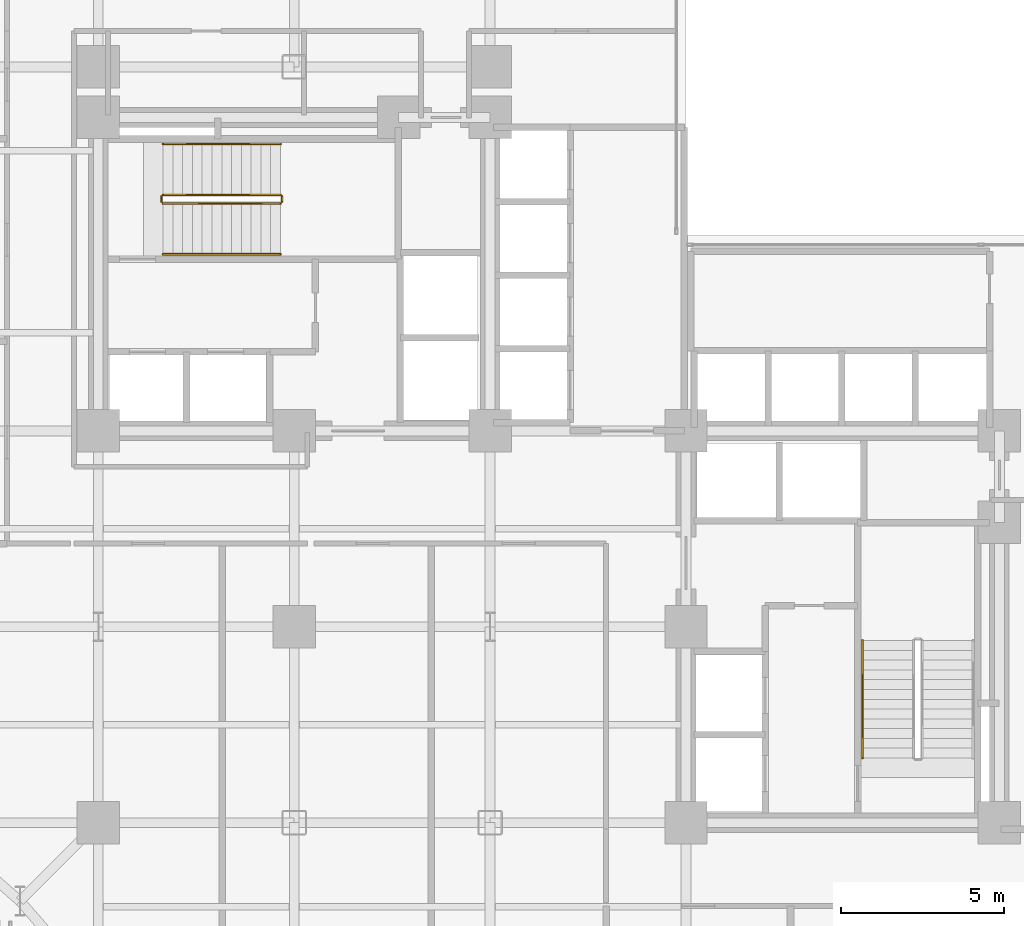
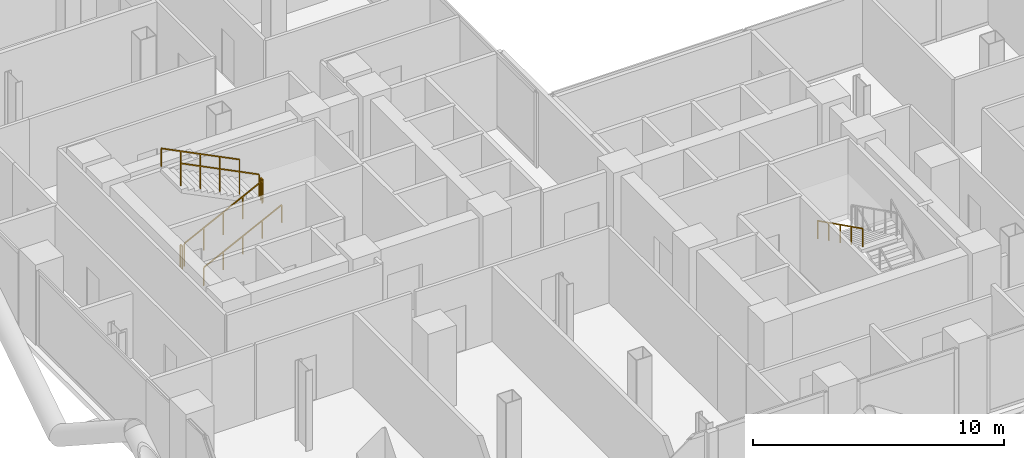
# One storey, part 25 of 27: 7 railings.
"""IFC4 building model written with IfcOpenShell, lengths in metres."""

from ifc_helpers import new_model, si_unit, direction, frame, origin, origin_2d, place, context, subcontext, project, spatial, rectangle, extrude, material, type_object, element, save


model = new_model("IFC4")

# Units and contexts
model_context = context("Model", 3, precision=1e-05, world=origin(), true_north=direction((0.0, 1.0)))
body_context = subcontext(model_context, "Body", "Model", "MODEL_VIEW")
ifc_project = project(units=[si_unit("LENGTHUNIT", "METRE"), si_unit("AREAUNIT", "SQUARE_METRE"), si_unit("VOLUMEUNIT", "CUBIC_METRE"), si_unit("PLANEANGLEUNIT", "RADIAN"), si_unit("MASSUNIT", "GRAM", prefix="KILO"), si_unit("THERMODYNAMICTEMPERATUREUNIT", "KELVIN"), si_unit("POWERUNIT", "WATT")], contexts=[model_context])

# Site, building, storey
site_placement = place(None, origin())
site = spatial("IfcSite", under=ifc_project, at=site_placement, CompositionType="ELEMENT")
building_placement = place(site_placement, origin())
building = spatial("IfcBuilding", under=site, at=building_placement, Name="Svarakhadi Broadcast Tower", CompositionType="ELEMENT")
storey_placement = place(building_placement, frame((0.0, 0.0, 71.39990234375)))
storey = spatial("IfcBuildingStorey", under=building, at=storey_placement, Name="L16", CompositionType="ELEMENT", Elevation=71.39990234375)

# Railings
ifc_material = material(Name="Anodised Bronze Aluminium AA 6063-T6", Category="aluminium")
railing_type_1 = type_object("IfcRailingType", Name="Guard_Stair_GR01", PredefinedType="GUARDRAIL", material=ifc_material)
railing_1_placement = place(storey_placement, frame((7.97998046875, 24.969970703125, 0.150146484375)))
element("IfcRailing", 1, at=railing_1_placement, inside=storey, type_object=railing_type_1, Name="L16 ST-01 stair guard 1", PredefinedType="GUARDRAIL", context=body_context, shape_type="SweptSolid", body=[
    extrude(rectangle(XDim=0.048095703125, YDim=0.048095703125, at=origin_2d()), frame((0.0, 0.0, 1.09619140625), z_axis=(0.894427191, 0.0, 0.4472135955), x_axis=(0.0, 1.0, 0.0)), (0.0, 0.0, 1.0), 4.025146484375),
    extrude(rectangle(XDim=0.0419921875, YDim=0.0419921875, at=origin_2d()), origin(), (0.0, 0.0, 1.0), 1.072021484375),
    extrude(rectangle(XDim=0.0419921875, YDim=0.0419921875, at=origin_2d()), frame((0.89990234375, 0.0, 0.449951171875)), (0.0, 0.0, 1.0), 1.072021484375),
    extrude(rectangle(XDim=0.0419921875, YDim=0.0419921875, at=origin_2d()), frame((1.800048828125, 0.0, 0.89990234375)), (0.0, 0.0, 1.0), 1.072021484375),
    extrude(rectangle(XDim=0.0419921875, YDim=0.0419921875, at=origin_2d()), frame((2.7001953125, 0.0, 1.35009765625)), (0.0, 0.0, 1.0), 1.072021484375),
    extrude(rectangle(XDim=0.0419921875, YDim=0.0419921875, at=origin_2d()), frame((3.60009765625, 0.0, 1.800048828125)), (0.0, 0.0, 1.0), 1.072021484375),
])
railing_2_placement = place(storey_placement, frame((11.6298828125, 25.02001953125, 1.9501953125)))
element("IfcRailing", 2, at=railing_2_placement, inside=storey, type_object=railing_type_1, Name="L16 ST-01 stair guard 2", PredefinedType="GUARDRAIL", context=body_context, shape_type="SweptSolid", body=[
    extrude(rectangle(XDim=0.048095703125, YDim=0.048095703125, at=origin_2d()), frame((0.0, 0.0, 1.09619140625), z_axis=(0.0, 1.0, 0.0), x_axis=(-1.0, 0.0, 0.0)), (0.0, 0.0, 1.0), 0.159912109375),
    extrude(rectangle(XDim=0.0419921875, YDim=0.0419921875, at=origin_2d()), origin(), (0.0, 0.0, 1.0), 1.072021484375),
    extrude(rectangle(XDim=0.0419921875, YDim=0.0419921875, at=origin_2d()), frame((0.0, 0.159912109375, 0.0)), (0.0, 0.0, 1.0), 1.072021484375),
])
railing_3_placement = place(storey_placement, frame((11.580078125, 25.22998046875, 2.10009765625)))
element("IfcRailing", 3, at=railing_3_placement, inside=storey, type_object=railing_type_1, Name="L16 ST-01 stair guard 3", PredefinedType="GUARDRAIL", context=body_context, shape_type="SweptSolid", body=[
    extrude(rectangle(XDim=0.048095703125, YDim=0.048095703125, at=origin_2d()), frame((0.0, 0.0, 1.09619140625), z_axis=(-0.894427191, 0.0, 0.4472135955), x_axis=(0.0, -1.0, 0.0)), (0.0, 0.0, 1.0), 4.025146484375),
    extrude(rectangle(XDim=0.0419921875, YDim=0.0419921875, at=origin_2d()), origin(), (0.0, 0.0, 1.0), 1.072021484375),
    extrude(rectangle(XDim=0.0419921875, YDim=0.0419921875, at=origin_2d()), frame((-0.89990234375, 0.0, 0.449951171875)), (0.0, 0.0, 1.0), 1.072021484375),
    extrude(rectangle(XDim=0.0419921875, YDim=0.0419921875, at=origin_2d()), frame((-1.800048828125, 0.0, 0.89990234375)), (0.0, 0.0, 1.0), 1.072021484375),
    extrude(rectangle(XDim=0.0419921875, YDim=0.0419921875, at=origin_2d()), frame((-2.7001953125, 0.0, 1.35009765625)), (0.0, 0.0, 1.0), 1.072021484375),
    extrude(rectangle(XDim=0.0419921875, YDim=0.0419921875, at=origin_2d()), frame((-3.60009765625, 0.0, 1.800048828125)), (0.0, 0.0, 1.0), 1.072021484375),
])
railing_4_placement = place(storey_placement, frame((7.929931640625, 25.02001953125, 0.0)))
element("IfcRailing", 4, at=railing_4_placement, inside=storey, type_object=railing_type_1, Name="L16 ST-01 stair guard 4", PredefinedType="GUARDRAIL", context=body_context, shape_type="SweptSolid", body=[
    extrude(rectangle(XDim=0.048095703125, YDim=0.048095703125, at=origin_2d()), frame((0.0, 0.0, 1.09619140625), z_axis=(0.0, 1.0, 0.0), x_axis=(-1.0, 0.0, 0.0)), (0.0, 0.0, 1.0), 0.159912109375),
    extrude(rectangle(XDim=0.0419921875, YDim=0.0419921875, at=origin_2d()), origin(), (0.0, 0.0, 1.0), 1.072021484375),
    extrude(rectangle(XDim=0.0419921875, YDim=0.0419921875, at=origin_2d()), frame((0.0, 0.159912109375, 0.0)), (0.0, 0.0, 1.0), 1.072021484375),
])
railing_type_2 = type_object("IfcRailingType", Name="Handrail_Stair_HR01", PredefinedType="HANDRAIL", material=ifc_material)
railing_5_placement = place(storey_placement, frame((7.97998046875, 23.409912109375, 0.150146484375)))
element("IfcRailing", 5, at=railing_5_placement, inside=storey, type_object=railing_type_2, Name="L16 ST-01 stair handrail 1", PredefinedType="HANDRAIL", context=body_context, shape_type="SweptSolid", body=[
    extrude(rectangle(XDim=0.048095703125, YDim=0.048095703125, at=origin_2d()), frame((0.0, 0.0, 0.8759765625), z_axis=(0.894427191, 0.0, 0.4472135955), x_axis=(0.0, 1.0, 0.0)), (0.0, 0.0, 1.0), 4.025146484375),
    extrude(rectangle(XDim=0.0419921875, YDim=0.0419921875, at=origin_2d()), origin(), (0.0, 0.0, 1.0), 0.851806640625),
    extrude(rectangle(XDim=0.0419921875, YDim=0.0419921875, at=origin_2d()), frame((0.89990234375, 0.0, 0.449951171875)), (0.0, 0.0, 1.0), 0.851806640625),
    extrude(rectangle(XDim=0.0419921875, YDim=0.0419921875, at=origin_2d()), frame((1.800048828125, 0.0, 0.89990234375)), (0.0, 0.0, 1.0), 0.851806640625),
    extrude(rectangle(XDim=0.0419921875, YDim=0.0419921875, at=origin_2d()), frame((2.7001953125, 0.0, 1.35009765625)), (0.0, 0.0, 1.0), 0.851806640625),
    extrude(rectangle(XDim=0.0419921875, YDim=0.0419921875, at=origin_2d()), frame((3.60009765625, 0.0, 1.800048828125)), (0.0, 0.0, 1.0), 0.851806640625),
])
railing_6_placement = place(storey_placement, frame((11.580078125, 26.7900390625, 2.10009765625)))
element("IfcRailing", 6, at=railing_6_placement, inside=storey, type_object=railing_type_2, Name="L16 ST-01 stair handrail 2", PredefinedType="HANDRAIL", context=body_context, shape_type="SweptSolid", body=[
    extrude(rectangle(XDim=0.048095703125, YDim=0.048095703125, at=origin_2d()), frame((0.0, 0.0, 0.8759765625), z_axis=(-0.894427191, 0.0, 0.4472135955), x_axis=(0.0, -1.0, 0.0)), (0.0, 0.0, 1.0), 4.025146484375),
    extrude(rectangle(XDim=0.0419921875, YDim=0.0419921875, at=origin_2d()), origin(), (0.0, 0.0, 1.0), 0.851806640625),
    extrude(rectangle(XDim=0.0419921875, YDim=0.0419921875, at=origin_2d()), frame((-0.89990234375, 0.0, 0.449951171875)), (0.0, 0.0, 1.0), 0.851806640625),
    extrude(rectangle(XDim=0.0419921875, YDim=0.0419921875, at=origin_2d()), frame((-1.800048828125, 0.0, 0.89990234375)), (0.0, 0.0, 1.0), 0.851806640625),
    extrude(rectangle(XDim=0.0419921875, YDim=0.0419921875, at=origin_2d()), frame((-2.7001953125, 0.0, 1.35009765625)), (0.0, 0.0, 1.0), 0.851806640625),
    extrude(rectangle(XDim=0.0419921875, YDim=0.0419921875, at=origin_2d()), frame((-3.60009765625, 0.0, 1.800048828125)), (0.0, 0.0, 1.0), 0.851806640625),
])
railing_7_placement = place(storey_placement, frame((29.409912109375, 11.580078125, 2.10009765625)))
element("IfcRailing", 7, at=railing_7_placement, inside=storey, type_object=railing_type_2, Name="L16 ST-02 stair handrail 2", PredefinedType="HANDRAIL", context=body_context, shape_type="SweptSolid", body=[
    extrude(rectangle(XDim=0.048095703125, YDim=0.048095703125, at=origin_2d()), frame((0.0, 0.0, 0.8759765625), z_axis=(0.0, -0.894427191, 0.4472135955), x_axis=(1.0, 0.0, 0.0)), (0.0, 0.0, 1.0), 4.025146484375),
    extrude(rectangle(XDim=0.0419921875, YDim=0.0419921875, at=origin_2d()), origin(), (0.0, 0.0, 1.0), 0.851806640625),
    extrude(rectangle(XDim=0.0419921875, YDim=0.0419921875, at=origin_2d()), frame((0.0, -0.89990234375, 0.449951171875)), (0.0, 0.0, 1.0), 0.851806640625),
    extrude(rectangle(XDim=0.0419921875, YDim=0.0419921875, at=origin_2d()), frame((0.0, -1.800048828125, 0.89990234375)), (0.0, 0.0, 1.0), 0.851806640625),
    extrude(rectangle(XDim=0.0419921875, YDim=0.0419921875, at=origin_2d()), frame((0.0, -2.7001953125, 1.35009765625)), (0.0, 0.0, 1.0), 0.851806640625),
    extrude(rectangle(XDim=0.0419921875, YDim=0.0419921875, at=origin_2d()), frame((0.0, -3.60009765625, 1.800048828125)), (0.0, 0.0, 1.0), 0.851806640625),
])

save(model, "model.ifc")
